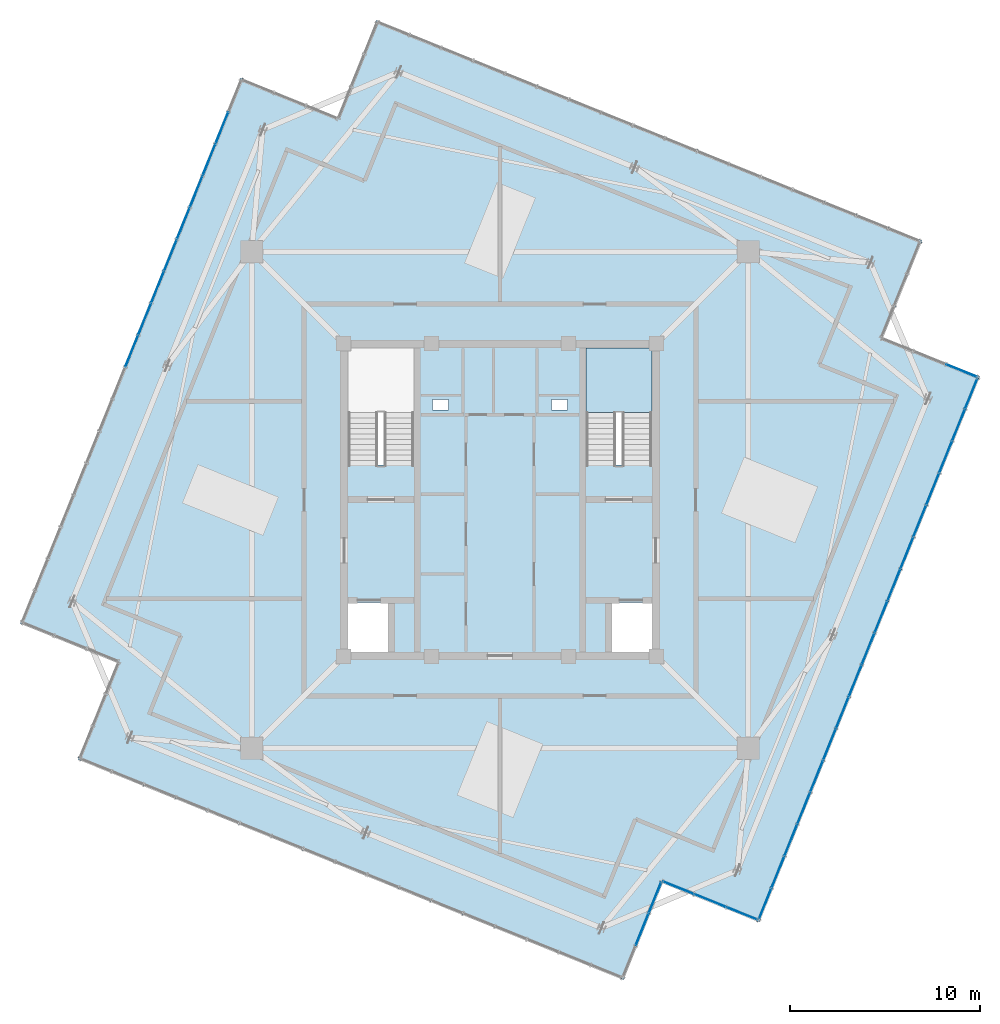
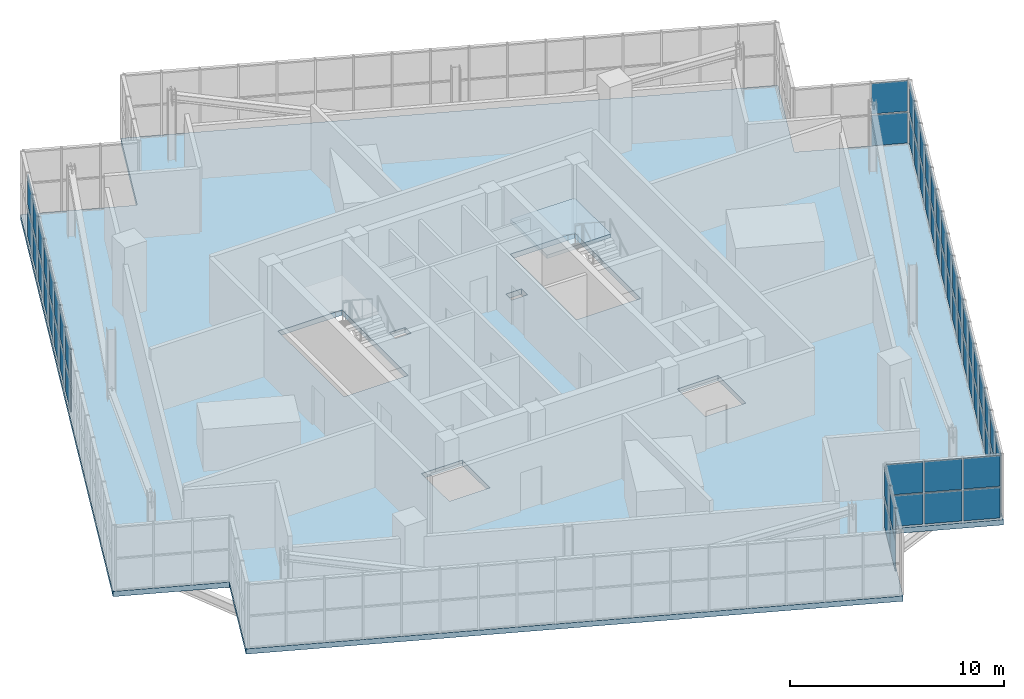
# One storey, part 19 of 26: 62 plates, 2 slabs, 6 elements without a shape of their own.
"""IFC4 building model written with IfcOpenShell, lengths in metres."""

from ifc_helpers import new_model, si_unit, direction, frame, origin, origin_2d, place, context, subcontext, project, spatial, polyline, rectangle, outline, extrude, source, transform, mapped, material, layer, layer_set, type_object, element, aggregate, save


model = new_model("IFC4")

# Units and contexts
model_context = context("Model", 3, precision=1e-05, world=origin(), true_north=direction((0.0, 1.0)))
body_context = subcontext(model_context, "Body", "Model", "MODEL_VIEW")
ifc_project = project(units=[si_unit("LENGTHUNIT", "METRE"), si_unit("AREAUNIT", "SQUARE_METRE"), si_unit("VOLUMEUNIT", "CUBIC_METRE"), si_unit("PLANEANGLEUNIT", "RADIAN"), si_unit("MASSUNIT", "GRAM", prefix="KILO"), si_unit("THERMODYNAMICTEMPERATUREUNIT", "KELVIN")], contexts=[model_context])

# Site, building, storey
site_placement = place(None, origin())
site = spatial("IfcSite", under=ifc_project, at=site_placement, CompositionType="ELEMENT")
building_placement = place(site_placement, origin())
building = spatial("IfcBuilding", under=site, at=building_placement, Name="Kosmvard Interchange Tower", CompositionType="ELEMENT")
storey_placement = place(building_placement, frame((0.0, 0.0, 325.60009765625)))
storey = spatial("IfcBuildingStorey", under=building, at=storey_placement, Name="L80", CompositionType="ELEMENT", Elevation=325.60009765625)

# Slab
ifc_material_1 = material(Name="Concrete C50/60", Category="concrete")
ifc_layer_1 = layer(ifc_material_1, 0.300048828125, Name="Concrete C50/60")
ifc_layer_set_1 = layer_set([ifc_layer_1], Name="Concrete C50/60")
slab_type_1 = type_object("IfcSlabType", Name="Crown Plant Equipment Slab 300 C50/60", PredefinedType="FLOOR", material=ifc_layer_set_1)
slab_1_placement = place(storey_placement, frame((0.0, 0.0, -0.300048828125)))
element("IfcSlab", 1, at=slab_1_placement, inside=storey, type_object=slab_type_1, Name="L80 Structural Floor Slab", PredefinedType="FLOOR", context=body_context, shape_type="SweptSolid", body=[
    extrude(outline(polyline([(13.66455078125, -22.238037109375), (25.27734375, 6.504638671875), (20.177734375, 8.56494140625), (22.238037109375, 13.66455078125), (-6.504638671875, 25.27734375), (-8.56494140625, 20.177734375), (-13.66455078125, 22.238037109375), (-25.27734375, -6.504638671875), (-20.177734375, -8.56494140625), (-22.238037109375, -13.66455078125), (6.504638671875, -25.27734375), (8.56494140625, -20.177734375), (13.66455078125, -22.238037109375)]), holes=[polyline([(-8.0, 1.8349609375), (-4.5400390625, 1.8349609375), (-4.5400390625, 8.0), (-8.0, 8.0), (-8.0, 1.8349609375)]), polyline([(4.5400390625, 1.8349609375), (8.0, 1.8349609375), (8.0, 8.0), (4.5400390625, 8.0), (4.5400390625, 1.8349609375)]), polyline([(-8.0, -8.0), (-5.800048828125, -8.0), (-5.800048828125, -5.39990234375), (-8.0, -5.39990234375), (-8.0, -8.0)]), polyline([(5.800048828125, -8.0), (8.0, -8.0), (8.0, -5.39990234375), (5.800048828125, -5.39990234375), (5.800048828125, -8.0)]), polyline([(-3.56494140625, 4.739990234375), (-2.715087890625, 4.739990234375), (-2.715087890625, 5.2900390625), (-3.56494140625, 5.2900390625), (-3.56494140625, 4.739990234375)]), polyline([(2.715087890625, 4.739990234375), (3.56494140625, 4.739990234375), (3.56494140625, 5.2900390625), (2.715087890625, 5.2900390625), (2.715087890625, 4.739990234375)])]), origin(), (0.0, 0.0, 1.0), 0.300048828125),
])

# Stair, slab
stair_type = type_object("IfcStairType", Name="Dog-Leg Core Exit Stair H4000 C50/60", PredefinedType="HALF_TURN_STAIR", material=ifc_material_1)
stair_placement = place(storey_placement, origin())
stair = element("IfcStair", 2, at=stair_placement, inside=storey, type_object=stair_type, Name="L80 Protected Exit Stair ST-2", PredefinedType="HALF_TURN_STAIR")
ifc_layer_2 = layer(ifc_material_1, 0.199951171875, Name="Concrete C50/60")
ifc_layer_set_2 = layer_set([ifc_layer_2], Name="Concrete C50/60")
slab_type_2 = type_object("IfcSlabType", Name="Stair Half-Landing Slab 200 C50/60", PredefinedType="LANDING", material=ifc_layer_set_2)
slab_2_placement = place(storey_placement, frame((0.0, 0.0, 1.7998046875)))
slab_2 = element("IfcSlab", 3, at=slab_2_placement, type_object=slab_type_2, Name="ST-2 landing 1", PredefinedType="LANDING", context=body_context, shape_type="SweptSolid", body=[
    extrude(outline(polyline([(8.0, 4.60009765625), (8.0, 8.0), (4.5400390625, 8.0), (4.5400390625, 4.60009765625), (8.0, 4.60009765625)])), origin(), (0.0, 0.0, 1.0), 0.2001953125),
])
aggregate(stair, [slab_2])

# Curtain wall, plates
ifc_material_2 = material(Name="Architectural anodised aluminium", Category="aluminium")
ifc_layer_3 = layer(ifc_material_2, 0.25, Name="Architectural anodised aluminium")
ifc_layer_set_3 = layer_set([ifc_layer_3], Name="Architectural anodised aluminium")
curtain_wall_type = type_object("IfcCurtainWallType", Name="CW-6 Illuminated Crown Lantern Curtain Wall", PredefinedType="NOTDEFINED", material=ifc_layer_set_3)
curtain_wall_1_placement = place(storey_placement, origin())
curtain_wall_1 = element("IfcCurtainWall", 4, at=curtain_wall_1_placement, inside=storey, type_object=curtain_wall_type, Name="L80 Crown Lantern Glazing Face 01", PredefinedType="NOTDEFINED")
ifc_material_3 = material(Name="Laminated acoustic lantern glazing", Category="glass")
ifc_layer_4 = layer(ifc_material_3, 0.035888671875, Name="Laminated acoustic lantern glazing")
ifc_layer_set_4 = layer_set([ifc_layer_4], Name="Laminated acoustic lantern glazing")
plate_type = type_object("IfcPlateType", Name="Lantern Diffused Illuminated Panel 36", PredefinedType="CURTAIN_PANEL", material=ifc_layer_set_4)
shared_shape_1 = source(origin(), body_context, "Body", "SweptSolid", [
    extrude(rectangle(XDim=1.694091796875, YDim=0.035888671875, at=origin_2d()), origin(), (0.0, 0.0, 1.0), 1.7451171875),
])
plate_1_placement = place(storey_placement, frame((13.967529296875, -21.2744140625, 0.06982421875), z_axis=(0.0, 0.0, 1.0), x_axis=(0.374606584758, 0.927183858065, 0.0)))
plate_1 = element("IfcPlate", 5, at=plate_1_placement, type_object=plate_type, Name="CW-6 panel 1.1", PredefinedType="CURTAIN_PANEL", context=body_context, shape_type="MappedRepresentation", body=[
    mapped(shared_shape_1, transform((0.0, 0.0, 0.0), scale=1.0)),
])
plate_2_placement = place(storey_placement, frame((13.967529296875, -21.2744140625, 1.884765625), z_axis=(0.0, 0.0, 1.0), x_axis=(0.374606584758, 0.927183858065, 0.0)))
plate_2 = element("IfcPlate", 6, at=plate_2_placement, type_object=plate_type, Name="CW-6 panel 1.2", PredefinedType="CURTAIN_PANEL", context=body_context, shape_type="MappedRepresentation", body=[
    mapped(shared_shape_1, transform((0.0, 0.0, 0.0), scale=1.0)),
])
plate_3_placement = place(storey_placement, frame((24.825927734375, 5.600830078125, 0.06982421875), z_axis=(0.0, 0.0, 1.0), x_axis=(0.374606584758, 0.927183858065, 0.0)))
plate_3 = element("IfcPlate", 7, at=plate_3_placement, type_object=plate_type, Name="CW-6 panel 17.1", PredefinedType="CURTAIN_PANEL", context=body_context, shape_type="MappedRepresentation", body=[
    mapped(shared_shape_1, transform((0.0, 0.0, 0.0), scale=1.0)),
])
plate_4_placement = place(storey_placement, frame((24.825927734375, 5.600830078125, 1.884765625), z_axis=(0.0, 0.0, 1.0), x_axis=(0.374606584758, 0.927183858065, 0.0)))
plate_4 = element("IfcPlate", 8, at=plate_4_placement, type_object=plate_type, Name="CW-6 panel 17.2", PredefinedType="CURTAIN_PANEL", context=body_context, shape_type="MappedRepresentation", body=[
    mapped(shared_shape_1, transform((0.0, 0.0, 0.0), scale=1.0)),
])
shared_shape_2 = source(origin(), body_context, "Body", "SweptSolid", [
    extrude(rectangle(XDim=1.734130859375, YDim=0.035888671875, at=origin_2d()), origin(), (0.0, 0.0, 1.0), 1.7451171875),
])
plate_5_placement = place(storey_placement, frame((14.6396484375, -19.61083984375, 0.06982421875), z_axis=(0.0, 0.0, 1.0), x_axis=(0.374606584758, 0.927183858065, 0.0)))
plate_5 = element("IfcPlate", 9, at=plate_5_placement, type_object=plate_type, Name="CW-6 panel 2.1", PredefinedType="CURTAIN_PANEL", context=body_context, shape_type="MappedRepresentation", body=[
    mapped(shared_shape_2, transform((0.0, 0.0, 0.0), scale=1.0)),
])
plate_6_placement = place(storey_placement, frame((14.6396484375, -19.61083984375, 1.884765625), z_axis=(0.0, 0.0, 1.0), x_axis=(0.374606584758, 0.927183858065, 0.0)))
plate_6 = element("IfcPlate", 10, at=plate_6_placement, type_object=plate_type, Name="CW-6 panel 2.2", PredefinedType="CURTAIN_PANEL", context=body_context, shape_type="MappedRepresentation", body=[
    mapped(shared_shape_2, transform((0.0, 0.0, 0.0), scale=1.0)),
])
plate_7_placement = place(storey_placement, frame((15.319091796875, -17.928955078125, 0.06982421875), z_axis=(0.0, 0.0, 1.0), x_axis=(0.374606584758, 0.927183858065, 0.0)))
plate_7 = element("IfcPlate", 11, at=plate_7_placement, type_object=plate_type, Name="CW-6 panel 3.1", PredefinedType="CURTAIN_PANEL", context=body_context, shape_type="MappedRepresentation", body=[
    mapped(shared_shape_2, transform((0.0, 0.0, 0.0), scale=1.0)),
])
plate_8_placement = place(storey_placement, frame((15.319091796875, -17.928955078125, 1.884765625), z_axis=(0.0, 0.0, 1.0), x_axis=(0.374606584758, 0.927183858065, 0.0)))
plate_8 = element("IfcPlate", 12, at=plate_8_placement, type_object=plate_type, Name="CW-6 panel 3.2", PredefinedType="CURTAIN_PANEL", context=body_context, shape_type="MappedRepresentation", body=[
    mapped(shared_shape_2, transform((0.0, 0.0, 0.0), scale=1.0)),
])
plate_9_placement = place(storey_placement, frame((15.998779296875, -16.246826171875, 0.06982421875), z_axis=(0.0, 0.0, 1.0), x_axis=(0.374606584758, 0.927183858065, 0.0)))
plate_9 = element("IfcPlate", 13, at=plate_9_placement, type_object=plate_type, Name="CW-6 panel 4.1", PredefinedType="CURTAIN_PANEL", context=body_context, shape_type="MappedRepresentation", body=[
    mapped(shared_shape_2, transform((0.0, 0.0, 0.0), scale=1.0)),
])
plate_10_placement = place(storey_placement, frame((15.998779296875, -16.246826171875, 1.884765625), z_axis=(0.0, 0.0, 1.0), x_axis=(0.374606584758, 0.927183858065, 0.0)))
plate_10 = element("IfcPlate", 14, at=plate_10_placement, type_object=plate_type, Name="CW-6 panel 4.2", PredefinedType="CURTAIN_PANEL", context=body_context, shape_type="MappedRepresentation", body=[
    mapped(shared_shape_2, transform((0.0, 0.0, 0.0), scale=1.0)),
])
plate_11_placement = place(storey_placement, frame((16.678466796875, -14.56494140625, 0.06982421875), z_axis=(0.0, 0.0, 1.0), x_axis=(0.374606584758, 0.927183858065, 0.0)))
plate_11 = element("IfcPlate", 15, at=plate_11_placement, type_object=plate_type, Name="CW-6 panel 5.1", PredefinedType="CURTAIN_PANEL", context=body_context, shape_type="MappedRepresentation", body=[
    mapped(shared_shape_2, transform((0.0, 0.0, 0.0), scale=1.0)),
])
plate_12_placement = place(storey_placement, frame((16.678466796875, -14.56494140625, 1.884765625), z_axis=(0.0, 0.0, 1.0), x_axis=(0.374606584758, 0.927183858065, 0.0)))
plate_12 = element("IfcPlate", 16, at=plate_12_placement, type_object=plate_type, Name="CW-6 panel 5.2", PredefinedType="CURTAIN_PANEL", context=body_context, shape_type="MappedRepresentation", body=[
    mapped(shared_shape_2, transform((0.0, 0.0, 0.0), scale=1.0)),
])
plate_13_placement = place(storey_placement, frame((17.35791015625, -12.8828125, 0.06982421875), z_axis=(0.0, 0.0, 1.0), x_axis=(0.374606584758, 0.927183858065, 0.0)))
plate_13 = element("IfcPlate", 17, at=plate_13_placement, type_object=plate_type, Name="CW-6 panel 6.1", PredefinedType="CURTAIN_PANEL", context=body_context, shape_type="MappedRepresentation", body=[
    mapped(shared_shape_2, transform((0.0, 0.0, 0.0), scale=1.0)),
])
plate_14_placement = place(storey_placement, frame((17.35791015625, -12.8828125, 1.884765625), z_axis=(0.0, 0.0, 1.0), x_axis=(0.374606584758, 0.927183858065, 0.0)))
plate_14 = element("IfcPlate", 18, at=plate_14_placement, type_object=plate_type, Name="CW-6 panel 6.2", PredefinedType="CURTAIN_PANEL", context=body_context, shape_type="MappedRepresentation", body=[
    mapped(shared_shape_2, transform((0.0, 0.0, 0.0), scale=1.0)),
])
plate_15_placement = place(storey_placement, frame((18.03759765625, -11.200927734375, 0.06982421875), z_axis=(0.0, 0.0, 1.0), x_axis=(0.374606584758, 0.927183858065, 0.0)))
plate_15 = element("IfcPlate", 19, at=plate_15_placement, type_object=plate_type, Name="CW-6 panel 7.1", PredefinedType="CURTAIN_PANEL", context=body_context, shape_type="MappedRepresentation", body=[
    mapped(shared_shape_2, transform((0.0, 0.0, 0.0), scale=1.0)),
])
plate_16_placement = place(storey_placement, frame((18.03759765625, -11.200927734375, 1.884765625), z_axis=(0.0, 0.0, 1.0), x_axis=(0.374606584758, 0.927183858065, 0.0)))
plate_16 = element("IfcPlate", 20, at=plate_16_placement, type_object=plate_type, Name="CW-6 panel 7.2", PredefinedType="CURTAIN_PANEL", context=body_context, shape_type="MappedRepresentation", body=[
    mapped(shared_shape_2, transform((0.0, 0.0, 0.0), scale=1.0)),
])
plate_17_placement = place(storey_placement, frame((18.717041015625, -9.518798828125, 0.06982421875), z_axis=(0.0, 0.0, 1.0), x_axis=(0.374606584758, 0.927183858065, 0.0)))
plate_17 = element("IfcPlate", 21, at=plate_17_placement, type_object=plate_type, Name="CW-6 panel 8.1", PredefinedType="CURTAIN_PANEL", context=body_context, shape_type="MappedRepresentation", body=[
    mapped(shared_shape_2, transform((0.0, 0.0, 0.0), scale=1.0)),
])
plate_18_placement = place(storey_placement, frame((18.717041015625, -9.518798828125, 1.884765625), z_axis=(0.0, 0.0, 1.0), x_axis=(0.374606584758, 0.927183858065, 0.0)))
plate_18 = element("IfcPlate", 22, at=plate_18_placement, type_object=plate_type, Name="CW-6 panel 8.2", PredefinedType="CURTAIN_PANEL", context=body_context, shape_type="MappedRepresentation", body=[
    mapped(shared_shape_2, transform((0.0, 0.0, 0.0), scale=1.0)),
])
plate_19_placement = place(storey_placement, frame((19.396728515625, -7.836669921875, 0.06982421875), z_axis=(0.0, 0.0, 1.0), x_axis=(0.374606584758, 0.927183858065, 0.0)))
plate_19 = element("IfcPlate", 23, at=plate_19_placement, type_object=plate_type, Name="CW-6 panel 9.1", PredefinedType="CURTAIN_PANEL", context=body_context, shape_type="MappedRepresentation", body=[
    mapped(shared_shape_2, transform((0.0, 0.0, 0.0), scale=1.0)),
])
plate_20_placement = place(storey_placement, frame((19.396728515625, -7.836669921875, 1.884765625), z_axis=(0.0, 0.0, 1.0), x_axis=(0.374606584758, 0.927183858065, 0.0)))
plate_20 = element("IfcPlate", 24, at=plate_20_placement, type_object=plate_type, Name="CW-6 panel 9.2", PredefinedType="CURTAIN_PANEL", context=body_context, shape_type="MappedRepresentation", body=[
    mapped(shared_shape_2, transform((0.0, 0.0, 0.0), scale=1.0)),
])
plate_21_placement = place(storey_placement, frame((20.076171875, -6.15478515625, 0.06982421875), z_axis=(0.0, 0.0, 1.0), x_axis=(0.374606584758, 0.927183858065, 0.0)))
plate_21 = element("IfcPlate", 25, at=plate_21_placement, type_object=plate_type, Name="CW-6 panel 10.1", PredefinedType="CURTAIN_PANEL", context=body_context, shape_type="MappedRepresentation", body=[
    mapped(shared_shape_2, transform((0.0, 0.0, 0.0), scale=1.0)),
])
plate_22_placement = place(storey_placement, frame((20.076171875, -6.15478515625, 1.884765625), z_axis=(0.0, 0.0, 1.0), x_axis=(0.374606584758, 0.927183858065, 0.0)))
plate_22 = element("IfcPlate", 26, at=plate_22_placement, type_object=plate_type, Name="CW-6 panel 10.2", PredefinedType="CURTAIN_PANEL", context=body_context, shape_type="MappedRepresentation", body=[
    mapped(shared_shape_2, transform((0.0, 0.0, 0.0), scale=1.0)),
])
plate_23_placement = place(storey_placement, frame((20.755859375, -4.47265625, 0.06982421875), z_axis=(0.0, 0.0, 1.0), x_axis=(0.374606584758, 0.927183858065, 0.0)))
plate_23 = element("IfcPlate", 27, at=plate_23_placement, type_object=plate_type, Name="CW-6 panel 11.1", PredefinedType="CURTAIN_PANEL", context=body_context, shape_type="MappedRepresentation", body=[
    mapped(shared_shape_2, transform((0.0, 0.0, 0.0), scale=1.0)),
])
plate_24_placement = place(storey_placement, frame((20.755859375, -4.47265625, 1.884765625), z_axis=(0.0, 0.0, 1.0), x_axis=(0.374606584758, 0.927183858065, 0.0)))
plate_24 = element("IfcPlate", 28, at=plate_24_placement, type_object=plate_type, Name="CW-6 panel 11.2", PredefinedType="CURTAIN_PANEL", context=body_context, shape_type="MappedRepresentation", body=[
    mapped(shared_shape_2, transform((0.0, 0.0, 0.0), scale=1.0)),
])
plate_25_placement = place(storey_placement, frame((21.435546875, -2.790771484375, 0.06982421875), z_axis=(0.0, 0.0, 1.0), x_axis=(0.374606584758, 0.927183858065, 0.0)))
plate_25 = element("IfcPlate", 29, at=plate_25_placement, type_object=plate_type, Name="CW-6 panel 12.1", PredefinedType="CURTAIN_PANEL", context=body_context, shape_type="MappedRepresentation", body=[
    mapped(shared_shape_2, transform((0.0, 0.0, 0.0), scale=1.0)),
])
plate_26_placement = place(storey_placement, frame((21.435546875, -2.790771484375, 1.884765625), z_axis=(0.0, 0.0, 1.0), x_axis=(0.374606584758, 0.927183858065, 0.0)))
plate_26 = element("IfcPlate", 30, at=plate_26_placement, type_object=plate_type, Name="CW-6 panel 12.2", PredefinedType="CURTAIN_PANEL", context=body_context, shape_type="MappedRepresentation", body=[
    mapped(shared_shape_2, transform((0.0, 0.0, 0.0), scale=1.0)),
])
plate_27_placement = place(storey_placement, frame((22.114990234375, -1.108642578125, 0.06982421875), z_axis=(0.0, 0.0, 1.0), x_axis=(0.374606584758, 0.927183858065, 0.0)))
plate_27 = element("IfcPlate", 31, at=plate_27_placement, type_object=plate_type, Name="CW-6 panel 13.1", PredefinedType="CURTAIN_PANEL", context=body_context, shape_type="MappedRepresentation", body=[
    mapped(shared_shape_2, transform((0.0, 0.0, 0.0), scale=1.0)),
])
plate_28_placement = place(storey_placement, frame((22.114990234375, -1.108642578125, 1.884765625), z_axis=(0.0, 0.0, 1.0), x_axis=(0.374606584758, 0.927183858065, 0.0)))
plate_28 = element("IfcPlate", 32, at=plate_28_placement, type_object=plate_type, Name="CW-6 panel 13.2", PredefinedType="CURTAIN_PANEL", context=body_context, shape_type="MappedRepresentation", body=[
    mapped(shared_shape_2, transform((0.0, 0.0, 0.0), scale=1.0)),
])
plate_29_placement = place(storey_placement, frame((22.794677734375, 0.5732421875, 0.06982421875), z_axis=(0.0, 0.0, 1.0), x_axis=(0.374606584758, 0.927183858065, 0.0)))
plate_29 = element("IfcPlate", 33, at=plate_29_placement, type_object=plate_type, Name="CW-6 panel 14.1", PredefinedType="CURTAIN_PANEL", context=body_context, shape_type="MappedRepresentation", body=[
    mapped(shared_shape_2, transform((0.0, 0.0, 0.0), scale=1.0)),
])
plate_30_placement = place(storey_placement, frame((22.794677734375, 0.5732421875, 1.884765625), z_axis=(0.0, 0.0, 1.0), x_axis=(0.374606584758, 0.927183858065, 0.0)))
plate_30 = element("IfcPlate", 34, at=plate_30_placement, type_object=plate_type, Name="CW-6 panel 14.2", PredefinedType="CURTAIN_PANEL", context=body_context, shape_type="MappedRepresentation", body=[
    mapped(shared_shape_2, transform((0.0, 0.0, 0.0), scale=1.0)),
])
plate_31_placement = place(storey_placement, frame((23.47412109375, 2.25537109375, 0.06982421875), z_axis=(0.0, 0.0, 1.0), x_axis=(0.374606584758, 0.927183858065, 0.0)))
plate_31 = element("IfcPlate", 35, at=plate_31_placement, type_object=plate_type, Name="CW-6 panel 15.1", PredefinedType="CURTAIN_PANEL", context=body_context, shape_type="MappedRepresentation", body=[
    mapped(shared_shape_2, transform((0.0, 0.0, 0.0), scale=1.0)),
])
plate_32_placement = place(storey_placement, frame((23.47412109375, 2.25537109375, 1.884765625), z_axis=(0.0, 0.0, 1.0), x_axis=(0.374606584758, 0.927183858065, 0.0)))
plate_32 = element("IfcPlate", 36, at=plate_32_placement, type_object=plate_type, Name="CW-6 panel 15.2", PredefinedType="CURTAIN_PANEL", context=body_context, shape_type="MappedRepresentation", body=[
    mapped(shared_shape_2, transform((0.0, 0.0, 0.0), scale=1.0)),
])
plate_33_placement = place(storey_placement, frame((24.15380859375, 3.937255859375, 0.06982421875), z_axis=(0.0, 0.0, 1.0), x_axis=(0.374606584758, 0.927183858065, 0.0)))
plate_33 = element("IfcPlate", 37, at=plate_33_placement, type_object=plate_type, Name="CW-6 panel 16.1", PredefinedType="CURTAIN_PANEL", context=body_context, shape_type="MappedRepresentation", body=[
    mapped(shared_shape_2, transform((0.0, 0.0, 0.0), scale=1.0)),
])
plate_34_placement = place(storey_placement, frame((24.15380859375, 3.937255859375, 1.884765625), z_axis=(0.0, 0.0, 1.0), x_axis=(0.374606584758, 0.927183858065, 0.0)))
plate_34 = element("IfcPlate", 38, at=plate_34_placement, type_object=plate_type, Name="CW-6 panel 16.2", PredefinedType="CURTAIN_PANEL", context=body_context, shape_type="MappedRepresentation", body=[
    mapped(shared_shape_2, transform((0.0, 0.0, 0.0), scale=1.0)),
])
aggregate(curtain_wall_1, [plate_1, plate_2, plate_5, plate_6, plate_7, plate_8, plate_9, plate_10, plate_11, plate_12, plate_13, plate_14, plate_15, plate_16, plate_17, plate_18, plate_19, plate_20, plate_21, plate_22, plate_23, plate_24, plate_25, plate_26, plate_27, plate_28, plate_29, plate_30, plate_31, plate_32, plate_33, plate_34, plate_3, plate_4])

curtain_wall_2_placement = place(storey_placement, origin())
curtain_wall_2 = element("IfcCurtainWall", 39, at=curtain_wall_2_placement, inside=storey, type_object=curtain_wall_type, Name="L80 Crown Lantern Glazing Face 07", PredefinedType="NOTDEFINED")
plate_35_placement = place(storey_placement, frame((-14.6396484375, 19.61083984375, 0.06982421875), z_axis=(0.0, 0.0, 1.0), x_axis=(-0.374606584758, -0.927183858065, 0.0)))
plate_35 = element("IfcPlate", 40, at=plate_35_placement, type_object=plate_type, Name="CW-6 panel 2.1", PredefinedType="CURTAIN_PANEL", context=body_context, shape_type="MappedRepresentation", body=[
    mapped(shared_shape_2, transform((0.0, 0.0, 0.0), scale=1.0)),
])
plate_36_placement = place(storey_placement, frame((-14.6396484375, 19.61083984375, 1.884765625), z_axis=(0.0, 0.0, 1.0), x_axis=(-0.374606584758, -0.927183858065, 0.0)))
plate_36 = element("IfcPlate", 41, at=plate_36_placement, type_object=plate_type, Name="CW-6 panel 2.2", PredefinedType="CURTAIN_PANEL", context=body_context, shape_type="MappedRepresentation", body=[
    mapped(shared_shape_2, transform((0.0, 0.0, 0.0), scale=1.0)),
])
plate_37_placement = place(storey_placement, frame((-15.319091796875, 17.928955078125, 0.06982421875), z_axis=(0.0, 0.0, 1.0), x_axis=(-0.374606584758, -0.927183858065, 0.0)))
plate_37 = element("IfcPlate", 42, at=plate_37_placement, type_object=plate_type, Name="CW-6 panel 3.1", PredefinedType="CURTAIN_PANEL", context=body_context, shape_type="MappedRepresentation", body=[
    mapped(shared_shape_2, transform((0.0, 0.0, 0.0), scale=1.0)),
])
plate_38_placement = place(storey_placement, frame((-15.319091796875, 17.928955078125, 1.884765625), z_axis=(0.0, 0.0, 1.0), x_axis=(-0.374606584758, -0.927183858065, 0.0)))
plate_38 = element("IfcPlate", 43, at=plate_38_placement, type_object=plate_type, Name="CW-6 panel 3.2", PredefinedType="CURTAIN_PANEL", context=body_context, shape_type="MappedRepresentation", body=[
    mapped(shared_shape_2, transform((0.0, 0.0, 0.0), scale=1.0)),
])
plate_39_placement = place(storey_placement, frame((-15.998779296875, 16.246826171875, 0.06982421875), z_axis=(0.0, 0.0, 1.0), x_axis=(-0.374606584758, -0.927183858065, 0.0)))
plate_39 = element("IfcPlate", 44, at=plate_39_placement, type_object=plate_type, Name="CW-6 panel 4.1", PredefinedType="CURTAIN_PANEL", context=body_context, shape_type="MappedRepresentation", body=[
    mapped(shared_shape_2, transform((0.0, 0.0, 0.0), scale=1.0)),
])
plate_40_placement = place(storey_placement, frame((-15.998779296875, 16.246826171875, 1.884765625), z_axis=(0.0, 0.0, 1.0), x_axis=(-0.374606584758, -0.927183858065, 0.0)))
plate_40 = element("IfcPlate", 45, at=plate_40_placement, type_object=plate_type, Name="CW-6 panel 4.2", PredefinedType="CURTAIN_PANEL", context=body_context, shape_type="MappedRepresentation", body=[
    mapped(shared_shape_2, transform((0.0, 0.0, 0.0), scale=1.0)),
])
plate_41_placement = place(storey_placement, frame((-16.678466796875, 14.56494140625, 0.06982421875), z_axis=(0.0, 0.0, 1.0), x_axis=(-0.374606584758, -0.927183858065, 0.0)))
plate_41 = element("IfcPlate", 46, at=plate_41_placement, type_object=plate_type, Name="CW-6 panel 5.1", PredefinedType="CURTAIN_PANEL", context=body_context, shape_type="MappedRepresentation", body=[
    mapped(shared_shape_2, transform((0.0, 0.0, 0.0), scale=1.0)),
])
plate_42_placement = place(storey_placement, frame((-16.678466796875, 14.56494140625, 1.884765625), z_axis=(0.0, 0.0, 1.0), x_axis=(-0.374606584758, -0.927183858065, 0.0)))
plate_42 = element("IfcPlate", 47, at=plate_42_placement, type_object=plate_type, Name="CW-6 panel 5.2", PredefinedType="CURTAIN_PANEL", context=body_context, shape_type="MappedRepresentation", body=[
    mapped(shared_shape_2, transform((0.0, 0.0, 0.0), scale=1.0)),
])
plate_43_placement = place(storey_placement, frame((-17.35791015625, 12.8828125, 0.06982421875), z_axis=(0.0, 0.0, 1.0), x_axis=(-0.374606584758, -0.927183858065, 0.0)))
plate_43 = element("IfcPlate", 48, at=plate_43_placement, type_object=plate_type, Name="CW-6 panel 6.1", PredefinedType="CURTAIN_PANEL", context=body_context, shape_type="MappedRepresentation", body=[
    mapped(shared_shape_2, transform((0.0, 0.0, 0.0), scale=1.0)),
])
plate_44_placement = place(storey_placement, frame((-17.35791015625, 12.8828125, 1.884765625), z_axis=(0.0, 0.0, 1.0), x_axis=(-0.374606584758, -0.927183858065, 0.0)))
plate_44 = element("IfcPlate", 49, at=plate_44_placement, type_object=plate_type, Name="CW-6 panel 6.2", PredefinedType="CURTAIN_PANEL", context=body_context, shape_type="MappedRepresentation", body=[
    mapped(shared_shape_2, transform((0.0, 0.0, 0.0), scale=1.0)),
])
plate_45_placement = place(storey_placement, frame((-18.03759765625, 11.200927734375, 0.06982421875), z_axis=(0.0, 0.0, 1.0), x_axis=(-0.374606584758, -0.927183858065, 0.0)))
plate_45 = element("IfcPlate", 50, at=plate_45_placement, type_object=plate_type, Name="CW-6 panel 7.1", PredefinedType="CURTAIN_PANEL", context=body_context, shape_type="MappedRepresentation", body=[
    mapped(shared_shape_2, transform((0.0, 0.0, 0.0), scale=1.0)),
])
plate_46_placement = place(storey_placement, frame((-18.03759765625, 11.200927734375, 1.884765625), z_axis=(0.0, 0.0, 1.0), x_axis=(-0.374606584758, -0.927183858065, 0.0)))
plate_46 = element("IfcPlate", 51, at=plate_46_placement, type_object=plate_type, Name="CW-6 panel 7.2", PredefinedType="CURTAIN_PANEL", context=body_context, shape_type="MappedRepresentation", body=[
    mapped(shared_shape_2, transform((0.0, 0.0, 0.0), scale=1.0)),
])
plate_47_placement = place(storey_placement, frame((-18.717041015625, 9.518798828125, 0.06982421875), z_axis=(0.0, 0.0, 1.0), x_axis=(-0.374606584758, -0.927183858065, 0.0)))
plate_47 = element("IfcPlate", 52, at=plate_47_placement, type_object=plate_type, Name="CW-6 panel 8.1", PredefinedType="CURTAIN_PANEL", context=body_context, shape_type="MappedRepresentation", body=[
    mapped(shared_shape_2, transform((0.0, 0.0, 0.0), scale=1.0)),
])
plate_48_placement = place(storey_placement, frame((-18.717041015625, 9.518798828125, 1.884765625), z_axis=(0.0, 0.0, 1.0), x_axis=(-0.374606584758, -0.927183858065, 0.0)))
plate_48 = element("IfcPlate", 53, at=plate_48_placement, type_object=plate_type, Name="CW-6 panel 8.2", PredefinedType="CURTAIN_PANEL", context=body_context, shape_type="MappedRepresentation", body=[
    mapped(shared_shape_2, transform((0.0, 0.0, 0.0), scale=1.0)),
])
plate_49_placement = place(storey_placement, frame((-19.396728515625, 7.836669921875, 0.06982421875), z_axis=(0.0, 0.0, 1.0), x_axis=(-0.374606584758, -0.927183858065, 0.0)))
plate_49 = element("IfcPlate", 54, at=plate_49_placement, type_object=plate_type, Name="CW-6 panel 9.1", PredefinedType="CURTAIN_PANEL", context=body_context, shape_type="MappedRepresentation", body=[
    mapped(shared_shape_2, transform((0.0, 0.0, 0.0), scale=1.0)),
])
plate_50_placement = place(storey_placement, frame((-19.396728515625, 7.836669921875, 1.884765625), z_axis=(0.0, 0.0, 1.0), x_axis=(-0.374606584758, -0.927183858065, 0.0)))
plate_50 = element("IfcPlate", 55, at=plate_50_placement, type_object=plate_type, Name="CW-6 panel 9.2", PredefinedType="CURTAIN_PANEL", context=body_context, shape_type="MappedRepresentation", body=[
    mapped(shared_shape_2, transform((0.0, 0.0, 0.0), scale=1.0)),
])
aggregate(curtain_wall_2, [plate_35, plate_36, plate_37, plate_38, plate_39, plate_40, plate_41, plate_42, plate_43, plate_44, plate_45, plate_46, plate_47, plate_48, plate_49, plate_50])

curtain_wall_3_placement = place(storey_placement, origin())
curtain_wall_3 = element("IfcCurtainWall", 56, at=curtain_wall_3_placement, inside=storey, type_object=curtain_wall_type, Name="L80 Crown Lantern Glazing Face 02", PredefinedType="NOTDEFINED")
shared_shape_3 = source(origin(), body_context, "Body", "SweptSolid", [
    extrude(rectangle(XDim=1.71337890625, YDim=0.035888671875, at=origin_2d()), origin(), (0.0, 0.0, 1.0), 1.7451171875),
])
plate_51_placement = place(storey_placement, frame((24.3046875, 6.811279296875, 0.06982421875), z_axis=(0.0, 0.0, 1.0), x_axis=(-0.92718386612, 0.374606564822, 0.0)))
plate_51 = element("IfcPlate", 57, at=plate_51_placement, type_object=plate_type, Name="CW-6 panel 1.1", PredefinedType="CURTAIN_PANEL", context=body_context, shape_type="MappedRepresentation", body=[
    mapped(shared_shape_3, transform((0.0, 0.0, 0.0), scale=1.0)),
])
plate_52_placement = place(storey_placement, frame((24.3046875, 6.811279296875, 1.884765625), z_axis=(0.0, 0.0, 1.0), x_axis=(-0.92718386612, 0.374606564822, 0.0)))
plate_52 = element("IfcPlate", 58, at=plate_52_placement, type_object=plate_type, Name="CW-6 panel 1.2", PredefinedType="CURTAIN_PANEL", context=body_context, shape_type="MappedRepresentation", body=[
    mapped(shared_shape_3, transform((0.0, 0.0, 0.0), scale=1.0)),
])
aggregate(curtain_wall_3, [plate_51, plate_52])

curtain_wall_4_placement = place(storey_placement, origin())
curtain_wall_4 = element("IfcCurtainWall", 59, at=curtain_wall_4_placement, inside=storey, type_object=curtain_wall_type, Name="L80 Crown Lantern Glazing Face 11", PredefinedType="NOTDEFINED")
plate_53_placement = place(storey_placement, frame((8.169921875, -20.942138671875, 0.06982421875), z_axis=(0.0, 0.0, 1.0), x_axis=(0.374606564822, 0.92718386612, 0.0)))
plate_53 = element("IfcPlate", 60, at=plate_53_placement, type_object=plate_type, Name="CW-6 panel 3.1", PredefinedType="CURTAIN_PANEL", context=body_context, shape_type="MappedRepresentation", body=[
    mapped(shared_shape_3, transform((0.0, 0.0, 0.0), scale=1.0)),
])
plate_54_placement = place(storey_placement, frame((8.169921875, -20.942138671875, 1.884765625), z_axis=(0.0, 0.0, 1.0), x_axis=(0.374606564822, 0.92718386612, 0.0)))
plate_54 = element("IfcPlate", 61, at=plate_54_placement, type_object=plate_type, Name="CW-6 panel 3.2", PredefinedType="CURTAIN_PANEL", context=body_context, shape_type="MappedRepresentation", body=[
    mapped(shared_shape_3, transform((0.0, 0.0, 0.0), scale=1.0)),
])

curtain_wall_5_placement = place(storey_placement, origin())
curtain_wall_5 = element("IfcCurtainWall", 62, at=curtain_wall_5_placement, inside=storey, type_object=curtain_wall_type, Name="L80 Crown Lantern Glazing Face 12", PredefinedType="NOTDEFINED")
plate_55_placement = place(storey_placement, frame((9.38916015625, -20.424560546875, 0.06982421875), z_axis=(0.0, 0.0, 1.0), x_axis=(0.927183891631, -0.374606501678, 0.0)))
plate_55 = element("IfcPlate", 63, at=plate_55_placement, type_object=plate_type, Name="CW-6 panel 1.1", PredefinedType="CURTAIN_PANEL", context=body_context, shape_type="MappedRepresentation", body=[
    mapped(shared_shape_3, transform((0.0, 0.0, 0.0), scale=1.0)),
])
plate_56_placement = place(storey_placement, frame((9.38916015625, -20.424560546875, 1.884765625), z_axis=(0.0, 0.0, 1.0), x_axis=(0.927183891631, -0.374606501678, 0.0)))
plate_56 = element("IfcPlate", 64, at=plate_56_placement, type_object=plate_type, Name="CW-6 panel 1.2", PredefinedType="CURTAIN_PANEL", context=body_context, shape_type="MappedRepresentation", body=[
    mapped(shared_shape_3, transform((0.0, 0.0, 0.0), scale=1.0)),
])
plate_57_placement = place(storey_placement, frame((12.751708984375, -21.782958984375, 0.06982421875), z_axis=(0.0, 0.0, 1.0), x_axis=(0.927183891631, -0.374606501678, 0.0)))
plate_57 = element("IfcPlate", 65, at=plate_57_placement, type_object=plate_type, Name="CW-6 panel 3.1", PredefinedType="CURTAIN_PANEL", context=body_context, shape_type="MappedRepresentation", body=[
    mapped(shared_shape_3, transform((0.0, 0.0, 0.0), scale=1.0)),
])
plate_58_placement = place(storey_placement, frame((12.751708984375, -21.782958984375, 1.884765625), z_axis=(0.0, 0.0, 1.0), x_axis=(0.927183891631, -0.374606501678, 0.0)))
plate_58 = element("IfcPlate", 66, at=plate_58_placement, type_object=plate_type, Name="CW-6 panel 3.2", PredefinedType="CURTAIN_PANEL", context=body_context, shape_type="MappedRepresentation", body=[
    mapped(shared_shape_3, transform((0.0, 0.0, 0.0), scale=1.0)),
])

# Plate
shared_shape_4 = source(origin(), body_context, "Body", "SweptSolid", [
    extrude(rectangle(XDim=1.75341796875, YDim=0.035888671875, at=origin_2d()), origin(), (0.0, 0.0, 1.0), 1.7451171875),
])
plate_59_placement = place(storey_placement, frame((7.490478515625, -22.623291015625, 0.06982421875), z_axis=(0.0, 0.0, 1.0), x_axis=(0.374606564822, 0.92718386612, 0.0)))
plate_59 = element("IfcPlate", 67, at=plate_59_placement, type_object=plate_type, Name="CW-6 panel 2.1", PredefinedType="CURTAIN_PANEL", context=body_context, shape_type="MappedRepresentation", body=[
    mapped(shared_shape_4, transform((0.0, 0.0, 0.0), scale=1.0)),
])

plate_60_placement = place(storey_placement, frame((7.490478515625, -22.623291015625, 1.884765625), z_axis=(0.0, 0.0, 1.0), x_axis=(0.374606564822, 0.92718386612, 0.0)))
plate_60 = element("IfcPlate", 68, at=plate_60_placement, type_object=plate_type, Name="CW-6 panel 2.2", PredefinedType="CURTAIN_PANEL", context=body_context, shape_type="MappedRepresentation", body=[
    mapped(shared_shape_4, transform((0.0, 0.0, 0.0), scale=1.0)),
])

aggregate(curtain_wall_4, [plate_59, plate_60, plate_53, plate_54])

plate_61_placement = place(storey_placement, frame((11.070556640625, -21.103759765625, 0.06982421875), z_axis=(0.0, 0.0, 1.0), x_axis=(0.927183891631, -0.374606501678, 0.0)))
plate_61 = element("IfcPlate", 69, at=plate_61_placement, type_object=plate_type, Name="CW-6 panel 2.1", PredefinedType="CURTAIN_PANEL", context=body_context, shape_type="MappedRepresentation", body=[
    mapped(shared_shape_4, transform((0.0, 0.0, 0.0), scale=1.0)),
])

plate_62_placement = place(storey_placement, frame((11.070556640625, -21.103759765625, 1.884765625), z_axis=(0.0, 0.0, 1.0), x_axis=(0.927183891631, -0.374606501678, 0.0)))
plate_62 = element("IfcPlate", 70, at=plate_62_placement, type_object=plate_type, Name="CW-6 panel 2.2", PredefinedType="CURTAIN_PANEL", context=body_context, shape_type="MappedRepresentation", body=[
    mapped(shared_shape_4, transform((0.0, 0.0, 0.0), scale=1.0)),
])

aggregate(curtain_wall_5, [plate_55, plate_56, plate_61, plate_62, plate_57, plate_58])

save(model, "model.ifc")
